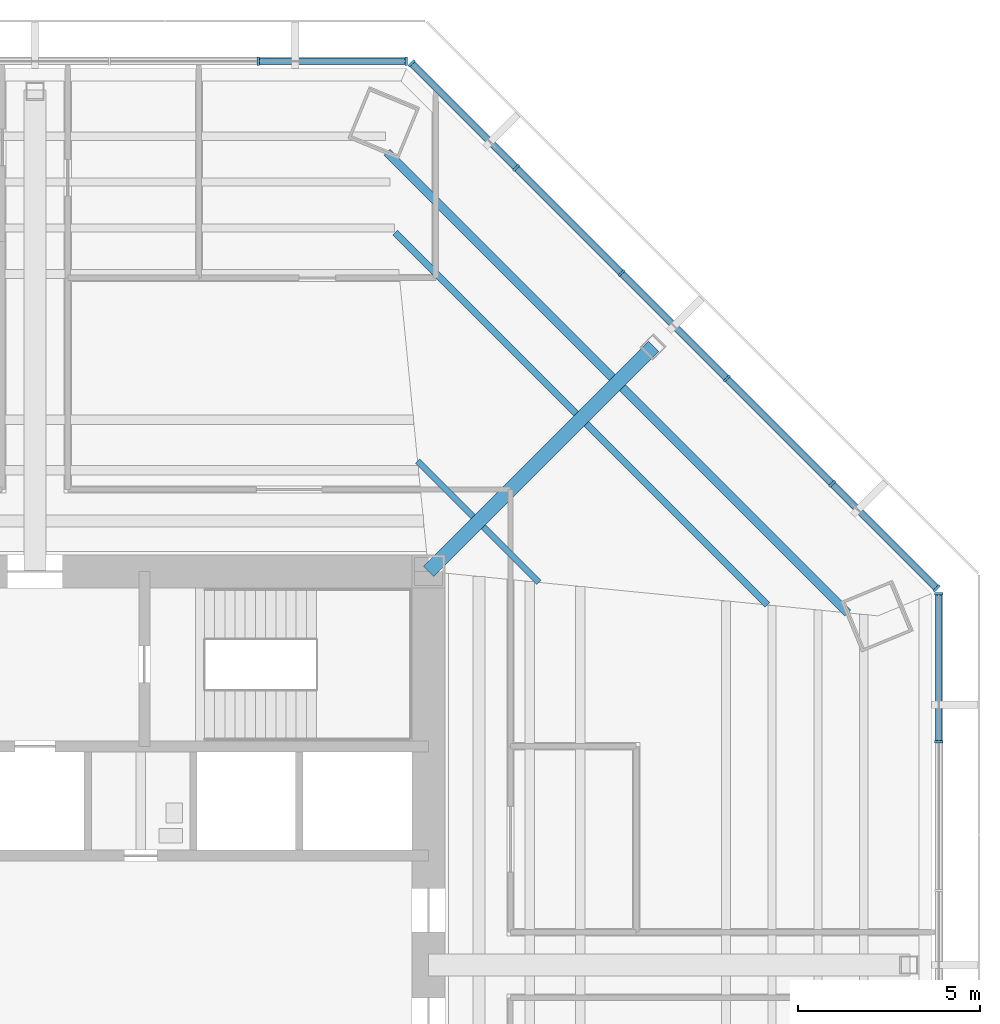
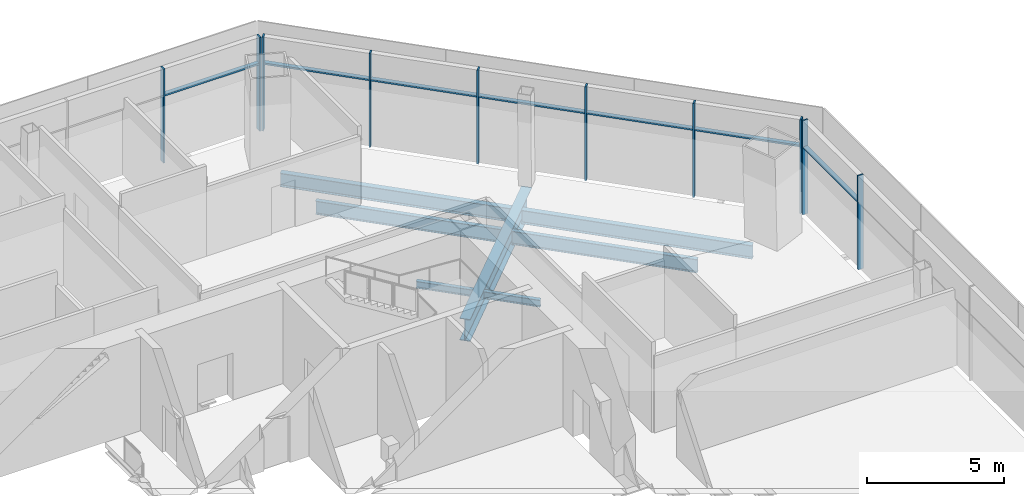
# One storey, part 6 of 14: 17 members, 7 beams, 3 elements without a shape of their own.
"""IFC4 building model written with IfcOpenShell, lengths in metres."""

import ifcopenshell
import ifcopenshell.guid

model = None  # the IFC model being written
_history = None  # IfcOwnerHistory: only IFC2X3 demands one
_inside = {}  # id of a spatial element -> (the spatial element, [elements in it])
_under = {}  # id of a project, library or spatial element -> (it, [spatial elements below it])
_declared = {}  # id of a project -> (the project, [libraries it declares])
_typed = {}  # id of a type object -> (the type object, [elements of that type])
_made_of = {}  # id of a material, layer set ... -> (it, [elements and type objects made of it])


def new_model(schema):
    """Start an empty IFC model of exactly this schema.

    Asked for "IFC4X3", IfcOpenShell would pick the latest addendum, in which some entities
    have other attributes; the version numbers below select the first issue.
    IFC2X3 requires an IfcOwnerHistory on every rooted entity: one is made here for all.
    """
    global model, _history
    if schema == "IFC4X3":
        model = ifcopenshell.file(schema_version=(4, 3, 0, 0))
    else:
        model = ifcopenshell.file(schema=schema)
    _inside.clear()
    _under.clear()
    _declared.clear()
    _typed.clear()
    _made_of.clear()
    _history = None
    if model.schema == "IFC2X3":
        org = make("IfcOrganization", Name="unknown")
        user = make(
            "IfcPersonAndOrganization",
            ThePerson=make("IfcPerson", FamilyName="unknown"),
            TheOrganization=org,
        )
        app = make(
            "IfcApplication",
            ApplicationDeveloper=org,
            Version="unknown",
            ApplicationFullName="unknown",
            ApplicationIdentifier="unknown",
        )
        _history = make(
            "IfcOwnerHistory",
            OwningUser=user,
            OwningApplication=app,
            ChangeAction="ADDED",
            CreationDate=0,
        )
    return model


def make(cls, **values):
    """One entity of the class cls with the attributes given. An attribute that is None is left unset."""
    return model.create_entity(
        cls, **{name: value for name, value in values.items() if value is not None}
    )


def rooted(cls, **values):
    """An entity with a GlobalId (a new one), such as an element, a storey or a relation."""
    return make(cls, GlobalId=ifcopenshell.guid.new(), OwnerHistory=_history, **values)


def si_unit(unit_type, name, prefix=None):
    """IfcSIUnit, for example si_unit("LENGTHUNIT", "METRE", prefix="MILLI")."""
    return make("IfcSIUnit", UnitType=unit_type, Prefix=prefix, Name=name)


def assignment(units):
    """IfcUnitAssignment: the units of a project."""
    return None if units is None else make("IfcUnitAssignment", Units=units)


def point(xyz):
    """IfcCartesianPoint."""
    return None if xyz is None else make("IfcCartesianPoint", Coordinates=xyz)


def direction(xyz):
    """IfcDirection."""
    return None if xyz is None else make("IfcDirection", DirectionRatios=xyz)


def frame(location, z_axis=None, x_axis=None):
    """IfcAxis2Placement3D, a coordinate frame: its origin and axes. An axis left out is left unset."""
    return make(
        "IfcAxis2Placement3D",
        Location=point(location),
        Axis=direction(z_axis),
        RefDirection=direction(x_axis),
    )


def frame_2d(location, x_axis=None):
    """IfcAxis2Placement2D, a coordinate frame in the plane: its origin and x axis."""
    return make(
        "IfcAxis2Placement2D", Location=point(location), RefDirection=direction(x_axis)
    )


def origin():
    """The frame at (0, 0, 0) with its axes left unset."""
    return frame((0.0, 0.0, 0.0))


def origin_2d():
    """The frame at (0, 0) in the plane with its x axis left unset."""
    return frame_2d((0.0, 0.0))


def place(relative_to, where):
    """IfcLocalPlacement: puts the frame where relative to a parent placement (None: the world)."""
    return make(
        "IfcLocalPlacement", PlacementRelTo=relative_to, RelativePlacement=where
    )


def context(
    kind, dimensions, precision=None, world=None, true_north=None, identifier=None
):
    """IfcGeometricRepresentationContext, for example the 3D "Model" context."""
    return make(
        "IfcGeometricRepresentationContext",
        ContextIdentifier=identifier,
        ContextType=kind,
        CoordinateSpaceDimension=dimensions,
        Precision=precision,
        WorldCoordinateSystem=world,
        TrueNorth=true_north,
    )


def subcontext(parent, identifier, kind, view, scale=None):
    """IfcGeometricRepresentationSubContext, for example "Body" below "Model"."""
    return make(
        "IfcGeometricRepresentationSubContext",
        ContextIdentifier=identifier,
        ContextType=kind,
        ParentContext=parent,
        TargetScale=scale,
        TargetView=view,
    )


def project(units=None, contexts=None):
    """IfcProject with its units and contexts."""
    return rooted(
        "IfcProject",
        Name="project",
        RepresentationContexts=contexts,
        UnitsInContext=assignment(units),
    )


def spatial(cls, under=None, at=None, **own):
    """A site, building, storey or space (cls), placed at a placement, below another one or the project."""
    s = rooted(cls, ObjectPlacement=at, **own)
    if under is not None:
        _under.setdefault(under.id(), (under, []))[1].append(s)
    return s


def profile(cls, at=None, kind="AREA", **sizes):
    """A parametric profile (cls). Its sizes go by their IFC names, for example OverallWidth=200.0."""
    return make(cls, ProfileType=kind, Position=at, **sizes)


def rectangle(**sizes):
    """IfcRectangleProfileDef."""
    return profile("IfcRectangleProfileDef", **sizes)


def i_section(**sizes):
    """IfcIShapeProfileDef."""
    return profile("IfcIShapeProfileDef", **sizes)


def extrude(swept, where, along, depth):
    """IfcExtrudedAreaSolid: the profile swept, set in the frame where, extruded along a direction by depth."""
    return make(
        "IfcExtrudedAreaSolid",
        SweptArea=swept,
        Position=where,
        ExtrudedDirection=direction(along),
        Depth=depth,
    )


def shape(context_of_items, identifier, shape_type, items):
    """IfcShapeRepresentation: the items that make up one representation, for example the "Body"."""
    return make(
        "IfcShapeRepresentation",
        ContextOfItems=context_of_items,
        RepresentationIdentifier=identifier,
        RepresentationType=shape_type,
        Items=items,
    )


def source(mapping_origin, context_of_items, identifier, shape_type, items):
    """IfcRepresentationMap: a shape defined once, which mapped items show again and again."""
    return make(
        "IfcRepresentationMap",
        MappingOrigin=mapping_origin,
        MappedRepresentation=shape(context_of_items, identifier, shape_type, items),
    )


def transform(
    local_origin,
    x_axis=None,
    y_axis=None,
    z_axis=None,
    scale=None,
    scale2=None,
    scale3=None,
    uniform=True,
):
    """IfcCartesianTransformationOperator3D, or its non-uniform kind. x_axis, y_axis, z_axis: its Axis1, 2, 3."""
    if uniform:
        return make(
            "IfcCartesianTransformationOperator3D",
            Axis1=direction(x_axis),
            Axis2=direction(y_axis),
            LocalOrigin=point(local_origin),
            Scale=scale,
            Axis3=direction(z_axis),
        )
    return make(
        "IfcCartesianTransformationOperator3DnonUniform",
        Axis1=direction(x_axis),
        Axis2=direction(y_axis),
        LocalOrigin=point(local_origin),
        Scale=scale,
        Axis3=direction(z_axis),
        Scale2=scale2,
        Scale3=scale3,
    )


def mapped(mapping_source, mapping_target):
    """IfcMappedItem: shows the shape of a source again, moved by a transform."""
    return make(
        "IfcMappedItem", MappingSource=mapping_source, MappingTarget=mapping_target
    )


def material(Name=None, Category=None):
    """IfcMaterial."""
    return make("IfcMaterial", Name=Name, Category=Category)


def material_profile(
    of_material, cross_section, Name=None, Category=None, Priority=None
):
    """IfcMaterialProfile: a cross section and its material."""
    return make(
        "IfcMaterialProfile",
        Name=Name,
        Material=of_material,
        Profile=cross_section,
        Priority=Priority,
        Category=Category,
    )


def profile_set(profiles, Name=None, composite=None):
    """IfcMaterialProfileSet."""
    return make(
        "IfcMaterialProfileSet",
        Name=Name,
        MaterialProfiles=profiles,
        CompositeProfile=composite,
    )


def made_of(thing, what):
    """Note that an element or type object is made of a material, layer set ...; save() writes the relation."""
    if what is not None:
        _made_of.setdefault(what.id(), (what, []))[1].append(thing)
    return thing


def type_object(cls, material=None, **own):
    """A type object (cls), such as IfcWallType, which elements share."""
    return made_of(rooted(cls, **own), material)


def type_shapes(of_type, sources):
    """Give a type object the sources (RepresentationMaps) that its elements show as mapped items."""
    of_type.RepresentationMaps = sources


def element(
    cls,
    number,
    at=None,
    inside=None,
    cuts=None,
    type_object=None,
    material=None,
    context=None,
    identifier="Body",
    shape_type=None,
    held_by="IfcProductDefinitionShape",
    body=None,
    shapes=None,
    **own,
):
    """One element of the class cls, such as IfcWall. Its Tag is "e" and its number.

    at: its placement. inside: the storey or other place that contains it. cuts: it is an
    opening in that element (IfcRelVoidsElement). A single representation is given by context,
    identifier, shape_type and body (its items); several are given by shapes. held_by: the class
    of the entity that holds the representations. save() writes the other relations.
    """
    e = rooted(cls, Tag="e%d" % number, ObjectPlacement=at, **own)
    if body is not None:
        shapes = [shape(context, identifier, shape_type, body)]
    if shapes is not None:
        e.Representation = make(held_by, Representations=shapes)
    if inside is not None:
        _inside.setdefault(inside.id(), (inside, []))[1].append(e)
    if cuts is not None:
        rooted(
            "IfcRelVoidsElement", RelatingBuildingElement=cuts, RelatedOpeningElement=e
        )
    if type_object is not None:
        _typed.setdefault(type_object.id(), (type_object, []))[1].append(e)
    return made_of(e, material)


def aggregate(whole, parts):
    """IfcRelAggregates: a whole, such as a stair, and the parts it consists of."""
    return rooted("IfcRelAggregates", RelatingObject=whole, RelatedObjects=parts)


def save(model, path):
    """Write the relations noted so far, then the file.

    IfcRelAggregates (storeys below a building ...), IfcRelContainedInSpatialStructure (elements
    in a storey), IfcRelDefinesByType, IfcRelAssociatesMaterial and IfcRelDeclares: one each for
    every whole, place, type object, material and project.
    """
    for whole, parts in _under.values():
        aggregate(whole, parts)
    for where, things in _inside.values():
        rooted(
            "IfcRelContainedInSpatialStructure",
            RelatedElements=things,
            RelatingStructure=where,
        )
    for kind, things in _typed.values():
        rooted("IfcRelDefinesByType", RelatedObjects=things, RelatingType=kind)
    for what, things in _made_of.values():
        rooted("IfcRelAssociatesMaterial", RelatedObjects=things, RelatingMaterial=what)
    for by, libraries in _declared.values():
        rooted("IfcRelDeclares", RelatingContext=by, RelatedDefinitions=libraries)
    model.write(path)


model = new_model("IFC4")

# Units and contexts
model_context = context("Model", 3, precision=1e-05, world=origin(), true_north=direction((0.0, 1.0)))
body_context = subcontext(model_context, "Body", "Model", "MODEL_VIEW")
ifc_project = project(units=[si_unit("LENGTHUNIT", "METRE"), si_unit("AREAUNIT", "SQUARE_METRE"), si_unit("VOLUMEUNIT", "CUBIC_METRE"), si_unit("PLANEANGLEUNIT", "RADIAN"), si_unit("MASSUNIT", "GRAM", prefix="KILO")], contexts=[model_context])

# Site, building, storey
site_placement = place(None, origin())
site = spatial("IfcSite", under=ifc_project, at=site_placement, CompositionType="ELEMENT")
building_placement = place(site_placement, origin())
building = spatial("IfcBuilding", under=site, at=building_placement, Name="Mashrafa Tower", CompositionType="ELEMENT")
storey_placement = place(building_placement, frame((0.0, 0.0, 113.39990234375)))
storey = spatial("IfcBuildingStorey", under=building, at=storey_placement, Name="L25", CompositionType="ELEMENT", Elevation=113.39990234375)

# Beams
ifc_material_1 = material(Name="Steel ASTM A992", Category="steel")
ifc_material_profile_1 = material_profile(ifc_material_1, i_section(OverallWidth=0.164794921875, OverallDepth=0.309814453125, WebThickness=0.005859375, FlangeThickness=0.009765625, FilletRadius=0.007568359375, at=origin_2d()), Name="W12X26")
ifc_profile_set_1 = profile_set([ifc_material_profile_1], Name="Steel ASTM A992")
beam_type_1 = type_object("IfcBeamType", Name="Beam W12X26", PredefinedType="BEAM", material=ifc_profile_set_1)
for number, where, z_axis, x_axis, name in (
    (1, (10.5009765625, 13.82763671875, -0.31982421875), (0.707163515393, -0.707050042428, 0.0), (0.707050042428, 0.707163515393, 0.0), "Floor beam L25 055"),
    (2, (12.306396484375, 12.0224609375, -0.31982421875), (0.707050042428, -0.707163515393, 0.0), (0.707163515393, 0.707050042428, 0.0), "Floor beam L25 059"),
):
    element("IfcBeam", number, at=place(storey_placement, frame(where, z_axis=z_axis, x_axis=x_axis)), inside=storey, type_object=beam_type_1, Name=name, PredefinedType="BEAM", context=body_context, shape_type="SweptSolid", body=[
        extrude(i_section(OverallWidth=0.164794921875, OverallDepth=0.309814453125, WebThickness=0.005859375, FlangeThickness=0.009765625, FilletRadius=0.007568359375, at=origin_2d()), origin(), (0.0, 0.0, 1.0), 2.151611328125),
    ])
ifc_material_2 = material(Name="Steel ASTM A992", Category="steel")
ifc_material_profile_2 = material_profile(ifc_material_2, i_section(OverallWidth=0.177978515625, OverallDepth=0.599365234375, WebThickness=0.010009765625, FlangeThickness=0.012939453125, FilletRadius=0.012939453125, at=origin_2d()), Name="W24X55")
ifc_profile_set_2 = profile_set([ifc_material_profile_2], Name="Steel ASTM A992")
beam_type_2 = type_object("IfcBeamType", Name="Beam W24X55", PredefinedType="BEAM", material=ifc_profile_set_2)
for number, where, z_axis, x_axis, name in (
    (3, (9.881103515625, 20.1044921875, -0.464599609375), (0.707106781187, -0.707106781187, 0.0), (0.707106781187, 0.707106781187, 0.0), "Floor beam L25 052"),
    (4, (15.134765625, 14.850830078125, -0.464599609375), (0.707106781187, -0.707106781187, 0.0), (0.707106781187, 0.707106781187, 0.0), "Floor beam L25 068"),
):
    element("IfcBeam", number, at=place(storey_placement, frame(where, z_axis=z_axis, x_axis=x_axis)), inside=storey, type_object=beam_type_2, Name=name, PredefinedType="BEAM", context=body_context, shape_type="SweptSolid", body=[
        extrude(i_section(OverallWidth=0.177978515625, OverallDepth=0.599365234375, WebThickness=0.010009765625, FlangeThickness=0.012939453125, FilletRadius=0.012939453125, at=origin_2d()), origin(), (0.0, 0.0, 1.0), 7.0283203125),
    ])
ifc_material_3 = material(Name="Steel ASTM A992", Category="steel")
ifc_material_profile_3 = material_profile(ifc_material_3, i_section(OverallWidth=0.228271484375, OverallDepth=0.607177734375, WebThickness=0.01123046875, FlangeThickness=0.017333984375, FilletRadius=0.0126953125, at=origin_2d()), Name="W24X76")
ifc_profile_set_3 = profile_set([ifc_material_profile_3], Name="Steel ASTM A992")
beam_type_3 = type_object("IfcBeamType", Name="Beam W24X76", PredefinedType="BEAM", material=ifc_profile_set_3)
for number, where, z_axis, x_axis, name in (
    (5, (9.66357421875, 22.307861328125, -0.468505859375), (0.707106781187, -0.707106781187, 0.0), (0.707106781187, 0.707106781187, 0.0), "Floor beam L25 049"),
    (6, (16.127685546875, 15.84375, -0.468505859375), (0.707106781187, -0.707106781187, 0.0), (0.707106781187, 0.707106781187, 0.0), "Floor beam L25 070"),
):
    element("IfcBeam", number, at=place(storey_placement, frame(where, z_axis=z_axis, x_axis=x_axis)), inside=storey, type_object=beam_type_3, Name=name, PredefinedType="BEAM", context=body_context, shape_type="SweptSolid", body=[
        extrude(i_section(OverallWidth=0.228271484375, OverallDepth=0.607177734375, WebThickness=0.01123046875, FlangeThickness=0.017333984375, FilletRadius=0.0126953125, at=origin_2d()), origin(), (0.0, 0.0, 1.0), 8.739990234375),
    ])
ifc_material_4 = material(Name="Steel ASTM A992", Category="steel")
ifc_material_profile_4 = material_profile(ifc_material_4, i_section(OverallWidth=0.4013671875, OverallDepth=0.98291015625, WebThickness=0.0166015625, FlangeThickness=0.027099609375, FilletRadius=0.0126953125, at=origin_2d()), Name="W40X199")
ifc_profile_set_4 = profile_set([ifc_material_profile_4], Name="Steel ASTM A992")
beam_type_4 = type_object("IfcBeamType", Name="Beam W40X199", PredefinedType="BEAM", material=ifc_profile_set_4)
beam_placement = place(storey_placement, frame((10.800048828125, 10.800048828125, -0.656494140625), z_axis=(0.707106781187, 0.707106781187, 0.0), x_axis=(-0.707106781187, 0.707106781187, 0.0)))
element("IfcBeam", 7, at=beam_placement, inside=storey, type_object=beam_type_4, Name="Radial girder L25 088", PredefinedType="BEAM", context=body_context, shape_type="SweptSolid", body=[
    extrude(i_section(OverallWidth=0.4013671875, OverallDepth=0.98291015625, WebThickness=0.0166015625, FlangeThickness=0.027099609375, FilletRadius=0.0126953125, at=origin_2d()), origin(), (0.0, 0.0, 1.0), 8.738037109375),
])

# Curtain wall, members
ifc_material_5 = material(Name="Unitised aluminium curtain wall", Category="aluminium")
curtain_wall_type = type_object("IfcCurtainWallType", Name="Office curtain wall, zone 2 CW-B 225 deep", PredefinedType="NOTDEFINED", material=ifc_material_5)
curtain_wall_1_placement = place(storey_placement, origin())
curtain_wall_1 = element("IfcCurtainWall", 8, at=curtain_wall_1_placement, inside=storey, type_object=curtain_wall_type, Name="Office curtain wall, zone 2 L25 east", PredefinedType="NOTDEFINED")
ifc_material_6 = material(Name="Extruded aluminium mullion", Category="aluminium")
ifc_material_profile_5 = material_profile(ifc_material_6, rectangle(XDim=0.22509765625, YDim=0.06494140625, at=origin_2d()), Name="Mullion 65x225")
ifc_profile_set_5 = profile_set([ifc_material_profile_5], Name="Extruded aluminium mullion")
member_type_1 = type_object("IfcMemberType", Name="Mullion CW-B 65 x 225", PredefinedType="MULLION", material=ifc_profile_set_5)
shared_shape_1 = source(origin(), body_context, "Body", "SweptSolid", [
    extrude(rectangle(XDim=0.22509765625, YDim=0.06494140625, at=origin_2d()), origin(), (0.0, 0.0, 1.0), 4.2001953125),
])
type_shapes(member_type_1, [shared_shape_1])
member_1_placement = place(storey_placement, frame((24.806884765625, 6.13134765625, 0.0), z_axis=(0.0, 0.0, 1.0), x_axis=(-1.0, 0.0, 0.0)))
member_1 = element("IfcMember", 9, at=member_1_placement, type_object=member_type_1, Name="CW-B mullion 5", PredefinedType="MULLION", context=body_context, shape_type="MappedRepresentation", body=[
    mapped(shared_shape_1, transform((0.0, 0.0, 0.0))),
])
member_2_placement = place(storey_placement, frame((24.806884765625, 10.186279296875, 0.0), z_axis=(0.0, 0.0, 1.0), x_axis=(-1.0, 0.0, 0.0)))
member_2 = element("IfcMember", 10, at=member_2_placement, type_object=member_type_1, Name="CW-B mullion 6", PredefinedType="MULLION", context=body_context, shape_type="MappedRepresentation", body=[
    mapped(shared_shape_1, transform((0.0, 0.0, 0.0))),
])

curtain_wall_2_placement = place(storey_placement, origin())
curtain_wall_2 = element("IfcCurtainWall", 11, at=curtain_wall_2_placement, inside=storey, type_object=curtain_wall_type, Name="Office curtain wall, zone 2 L25 north-east", PredefinedType="NOTDEFINED")
member_3_placement = place(storey_placement, frame((24.743896484375, 10.33837890625, 0.0), z_axis=(0.0, 0.0, 1.0), x_axis=(-0.707106781187, -0.707106781187, 0.0)))
member_3 = element("IfcMember", 12, at=member_3_placement, type_object=member_type_1, Name="CW-B mullion 1", PredefinedType="MULLION", context=body_context, shape_type="MappedRepresentation", body=[
    mapped(shared_shape_1, transform((0.0, 0.0, 0.0))),
])
member_4_placement = place(storey_placement, frame((21.87646484375, 13.20556640625, 0.0), z_axis=(0.0, 0.0, 1.0), x_axis=(-0.707106781187, -0.707106781187, 0.0)))
member_4 = element("IfcMember", 13, at=member_4_placement, type_object=member_type_1, Name="CW-B mullion 2", PredefinedType="MULLION", context=body_context, shape_type="MappedRepresentation", body=[
    mapped(shared_shape_1, transform((0.0, 0.0, 0.0))),
])
member_5_placement = place(storey_placement, frame((18.986083984375, 16.095947265625, 0.0), z_axis=(0.0, 0.0, 1.0), x_axis=(-0.707106781187, -0.707106781187, 0.0)))
member_5 = element("IfcMember", 14, at=member_5_placement, type_object=member_type_1, Name="CW-B mullion 3", PredefinedType="MULLION", context=body_context, shape_type="MappedRepresentation", body=[
    mapped(shared_shape_1, transform((0.0, 0.0, 0.0))),
])
member_6_placement = place(storey_placement, frame((16.095947265625, 18.986083984375, 0.0), z_axis=(0.0, 0.0, 1.0), x_axis=(-0.707106781187, -0.707106781187, 0.0)))
member_6 = element("IfcMember", 15, at=member_6_placement, type_object=member_type_1, Name="CW-B mullion 4", PredefinedType="MULLION", context=body_context, shape_type="MappedRepresentation", body=[
    mapped(shared_shape_1, transform((0.0, 0.0, 0.0))),
])
member_7_placement = place(storey_placement, frame((13.20556640625, 21.87646484375, 0.0), z_axis=(0.0, 0.0, 1.0), x_axis=(-0.707106781187, -0.707106781187, 0.0)))
member_7 = element("IfcMember", 16, at=member_7_placement, type_object=member_type_1, Name="CW-B mullion 5", PredefinedType="MULLION", context=body_context, shape_type="MappedRepresentation", body=[
    mapped(shared_shape_1, transform((0.0, 0.0, 0.0))),
])
member_8_placement = place(storey_placement, frame((10.33837890625, 24.743896484375, 0.0), z_axis=(0.0, 0.0, 1.0), x_axis=(-0.707106781187, -0.707106781187, 0.0)))
member_8 = element("IfcMember", 17, at=member_8_placement, type_object=member_type_1, Name="CW-B mullion 6", PredefinedType="MULLION", context=body_context, shape_type="MappedRepresentation", body=[
    mapped(shared_shape_1, transform((0.0, 0.0, 0.0))),
])

curtain_wall_3_placement = place(storey_placement, origin())
curtain_wall_3 = element("IfcCurtainWall", 18, at=curtain_wall_3_placement, inside=storey, type_object=curtain_wall_type, Name="Office curtain wall, zone 2 L25 north", PredefinedType="NOTDEFINED")
member_9_placement = place(storey_placement, frame((10.186279296875, 24.806884765625, 0.0), z_axis=(0.0, 0.0, 1.0), x_axis=(0.0, -1.0, 0.0)))
member_9 = element("IfcMember", 19, at=member_9_placement, type_object=member_type_1, Name="CW-B mullion 1", PredefinedType="MULLION", context=body_context, shape_type="MappedRepresentation", body=[
    mapped(shared_shape_1, transform((0.0, 0.0, 0.0))),
])
member_10_placement = place(storey_placement, frame((6.13134765625, 24.806884765625, 0.0), z_axis=(0.0, 0.0, 1.0), x_axis=(0.0, -1.0, 0.0)))
member_10 = element("IfcMember", 20, at=member_10_placement, type_object=member_type_1, Name="CW-B mullion 2", PredefinedType="MULLION", context=body_context, shape_type="MappedRepresentation", body=[
    mapped(shared_shape_1, transform((0.0, 0.0, 0.0))),
])

# Member
ifc_material_7 = material(Name="Extruded aluminium transom", Category="aluminium")
ifc_material_profile_6 = material_profile(ifc_material_7, rectangle(XDim=0.179931640625, YDim=0.080078125, at=origin_2d()), Name="Transom 80x180")
ifc_profile_set_6 = profile_set([ifc_material_profile_6], Name="Extruded aluminium transom")
member_type_2 = type_object("IfcMemberType", Name="Transom CW-B 80 x 180", PredefinedType="MULLION", material=ifc_profile_set_6)
shared_shape_2 = source(origin(), body_context, "Body", "SweptSolid", [
    extrude(rectangle(XDim=0.179931640625, YDim=0.080078125, at=origin_2d()), origin(), (0.0, 0.0, 1.0), 3.989990234375),
])
member_11_placement = place(storey_placement, frame((24.806884765625, 6.163818359375, 3.0), z_axis=(0.0, 1.0, 0.0), x_axis=(-1.0, 0.0, 0.0)))
member_11 = element("IfcMember", 21, at=member_11_placement, type_object=member_type_2, Name="CW-B transom 5", PredefinedType="MULLION", context=body_context, shape_type="MappedRepresentation", body=[
    mapped(shared_shape_2, transform((0.0, 0.0, 0.0))),
])

aggregate(curtain_wall_1, [member_1, member_2, member_11])

member_12_placement = place(storey_placement, frame((24.720703125, 10.361328125, 3.0), z_axis=(-0.707106781187, 0.707106781187, 0.0), x_axis=(-0.707106781187, -0.707106781187, 0.0)))
member_12 = element("IfcMember", 22, at=member_12_placement, type_object=member_type_2, Name="CW-B transom 1", PredefinedType="MULLION", context=body_context, shape_type="MappedRepresentation", body=[
    mapped(shared_shape_2, transform((0.0, 0.0, 0.0))),
])

member_13_placement = place(storey_placement, frame((13.1826171875, 21.8994140625, 3.0), z_axis=(-0.707106781187, 0.707106781187, 0.0), x_axis=(-0.707106781187, -0.707106781187, 0.0)))
member_13 = element("IfcMember", 23, at=member_13_placement, type_object=member_type_2, Name="CW-B transom 5", PredefinedType="MULLION", context=body_context, shape_type="MappedRepresentation", body=[
    mapped(shared_shape_2, transform((0.0, 0.0, 0.0))),
])

member_14_placement = place(storey_placement, frame((10.15380859375, 24.806884765625, 3.0), z_axis=(-1.0, 0.0, 0.0), x_axis=(0.0, -1.0, 0.0)))
member_14 = element("IfcMember", 24, at=member_14_placement, type_object=member_type_2, Name="CW-B transom 1", PredefinedType="MULLION", context=body_context, shape_type="MappedRepresentation", body=[
    mapped(shared_shape_2, transform((0.0, 0.0, 0.0))),
])

aggregate(curtain_wall_3, [member_9, member_10, member_14])

shared_shape_3 = source(origin(), body_context, "Body", "SweptSolid", [
    extrude(rectangle(XDim=0.179931640625, YDim=0.080078125, at=origin_2d()), origin(), (0.0, 0.0, 1.0), 4.0224609375),
])
type_shapes(member_type_2, [shared_shape_2, shared_shape_3])
member_15_placement = place(storey_placement, frame((21.853515625, 13.228515625, 3.0), z_axis=(-0.707076433907, 0.707137127163, 0.0), x_axis=(-0.707137127163, -0.707076433907, 0.0)))
member_15 = element("IfcMember", 25, at=member_15_placement, type_object=member_type_2, Name="CW-B transom 2", PredefinedType="MULLION", context=body_context, shape_type="MappedRepresentation", body=[
    mapped(shared_shape_3, transform((0.0, 0.0, 0.0))),
])

member_16_placement = place(storey_placement, frame((18.963134765625, 16.118896484375, 3.0), z_axis=(-0.707106781187, 0.707106781187, 0.0), x_axis=(-0.707106781187, -0.707106781187, 0.0)))
member_16 = element("IfcMember", 26, at=member_16_placement, type_object=member_type_2, Name="CW-B transom 3", PredefinedType="MULLION", context=body_context, shape_type="MappedRepresentation", body=[
    mapped(shared_shape_3, transform((0.0, 0.0, 0.0))),
])

member_17_placement = place(storey_placement, frame((16.072998046875, 19.00927734375, 3.0), z_axis=(-0.707137127163, 0.707076433907, 0.0), x_axis=(-0.707076433907, -0.707137127163, 0.0)))
member_17 = element("IfcMember", 27, at=member_17_placement, type_object=member_type_2, Name="CW-B transom 4", PredefinedType="MULLION", context=body_context, shape_type="MappedRepresentation", body=[
    mapped(shared_shape_3, transform((0.0, 0.0, 0.0))),
])

aggregate(curtain_wall_2, [member_3, member_4, member_5, member_6, member_7, member_8, member_12, member_15, member_16, member_17, member_13])

save(model, "model.ifc")
